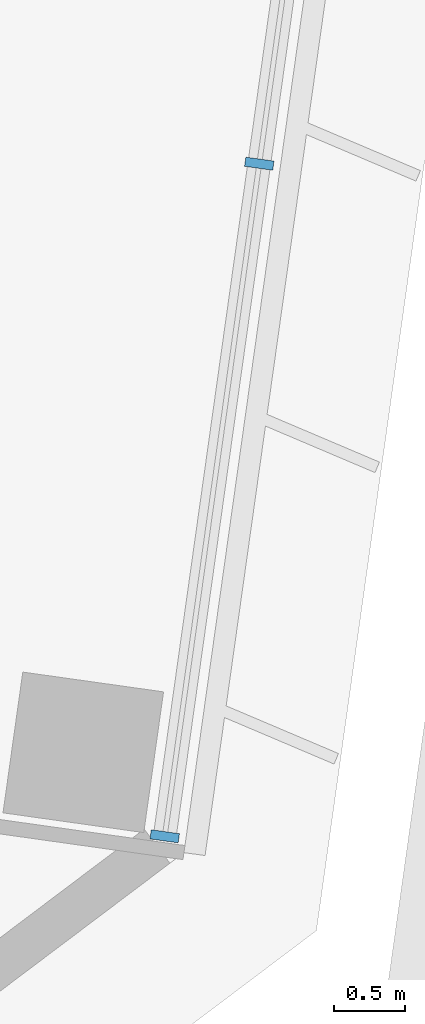
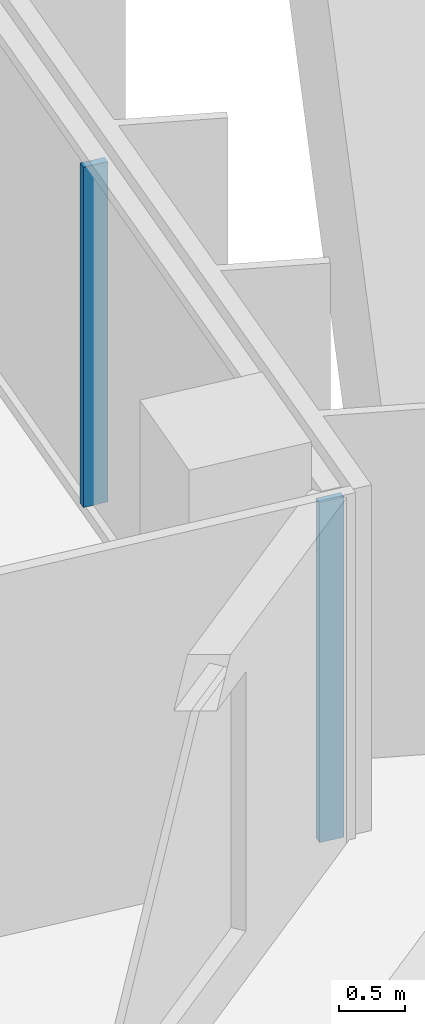
# One storey, part 14 of 49: 2 members, 1 element without a shape of its own.
"""IFC4 building model written with IfcOpenShell, lengths in metres."""

from ifc_helpers import new_model, si_unit, direction, frame, origin, origin_2d, place, context, subcontext, project, spatial, rectangle, extrude, material, material_profile, profile_set, type_object, element, aggregate, save


model = new_model("IFC4")

# Units and contexts
model_context = context("Model", 3, precision=1e-05, world=origin(), true_north=direction((0.0, 1.0)))
body_context = subcontext(model_context, "Body", "Model", "MODEL_VIEW")
ifc_project = project(units=[si_unit("LENGTHUNIT", "METRE"), si_unit("AREAUNIT", "SQUARE_METRE"), si_unit("VOLUMEUNIT", "CUBIC_METRE"), si_unit("PLANEANGLEUNIT", "RADIAN"), si_unit("MASSUNIT", "GRAM", prefix="KILO")], contexts=[model_context])

# Site, building, storey
site_placement = place(None, origin())
site = spatial("IfcSite", under=ifc_project, at=site_placement, CompositionType="ELEMENT")
building_placement = place(site_placement, origin())
building = spatial("IfcBuilding", under=site, at=building_placement, Name="Mirante Cascada Hotel Towers", CompositionType="ELEMENT")
storey_placement = place(building_placement, frame((0.0, 0.0, 66.1)))
storey = spatial("IfcBuildingStorey", under=building, at=storey_placement, Name="L13", CompositionType="ELEMENT", Elevation=66.1)

# Curtain wall, members
ifc_material_1 = material(Name="Aluminium mullion and transom frame with clear laminated glass", Category="aluminium")
curtain_wall_type = type_object("IfcCurtainWallType", Name="End ribbon curtain wall ECW2", PredefinedType="NOTDEFINED", material=ifc_material_1)
curtain_wall_placement = place(storey_placement, origin())
curtain_wall = element("IfcCurtainWall", 1, at=curtain_wall_placement, inside=storey, type_object=curtain_wall_type, Name="Inner end wall T1 L13", PredefinedType="NOTDEFINED")
ifc_material_2 = material(Name="Anodised aluminium extrusion", Category="aluminium")
ifc_material_profile = material_profile(ifc_material_2, rectangle(XDim=0.2, YDim=0.065, at=origin_2d()), Name="ECW2 MULLION 65x200")
ifc_profile_set = profile_set([ifc_material_profile], Name="Anodised aluminium extrusion")
member_type = type_object("IfcMemberType", Name="ECW2 mullion 65x200", PredefinedType="MULLION", material=ifc_profile_set)
member_1_placement = place(storey_placement, frame((-31.4881, -11.5107, 0.1), z_axis=(0.0, 0.0, 1.0), x_axis=(0.9902681, -0.1391731, 0.0)))
member_1 = element("IfcMember", 2, at=member_1_placement, type_object=member_type, Name="ECW2 mullion 6", PredefinedType="MULLION", context=body_context, shape_type="SweptSolid", body=[
    extrude(rectangle(XDim=0.2, YDim=0.065, at=origin_2d()), origin(), (0.0, 0.0, 1.0), 3.15),
])
member_2_placement = place(storey_placement, frame((-32.1534, -16.2443, 0.1), z_axis=(0.0, 0.0, 1.0), x_axis=(0.9902681, -0.1391731, 0.0)))
member_2 = element("IfcMember", 3, at=member_2_placement, type_object=member_type, Name="ECW2 mullion 7", PredefinedType="MULLION", context=body_context, shape_type="SweptSolid", body=[
    extrude(rectangle(XDim=0.2, YDim=0.065, at=origin_2d()), origin(), (0.0, 0.0, 1.0), 3.15),
])
aggregate(curtain_wall, [member_1, member_2])

save(model, "model.ifc")
